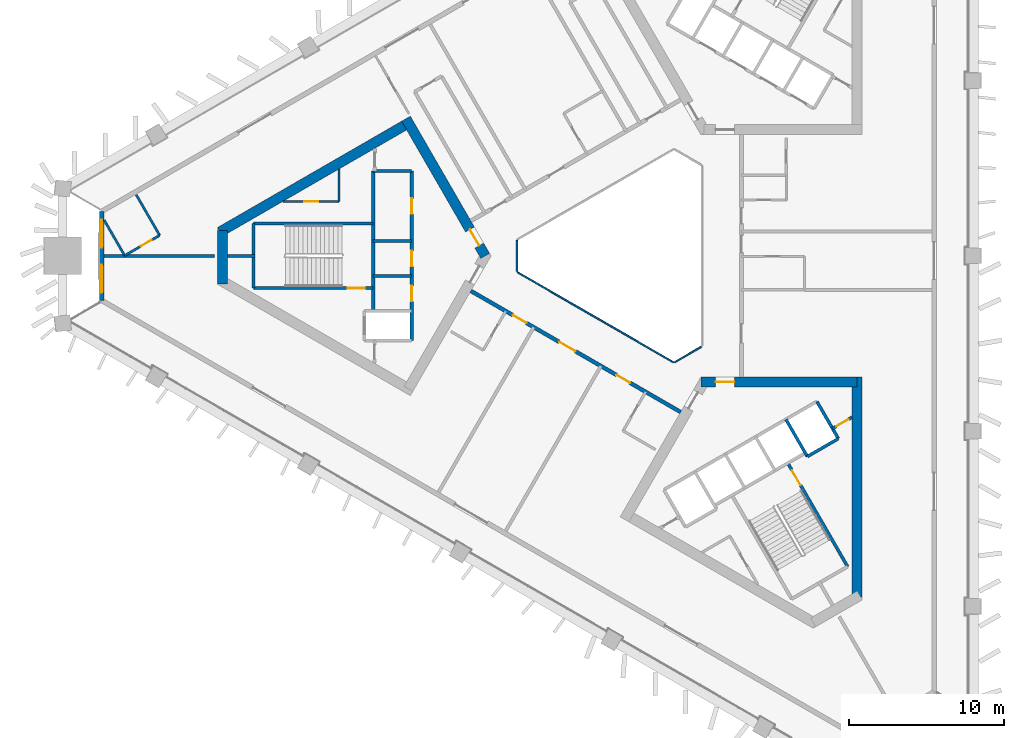
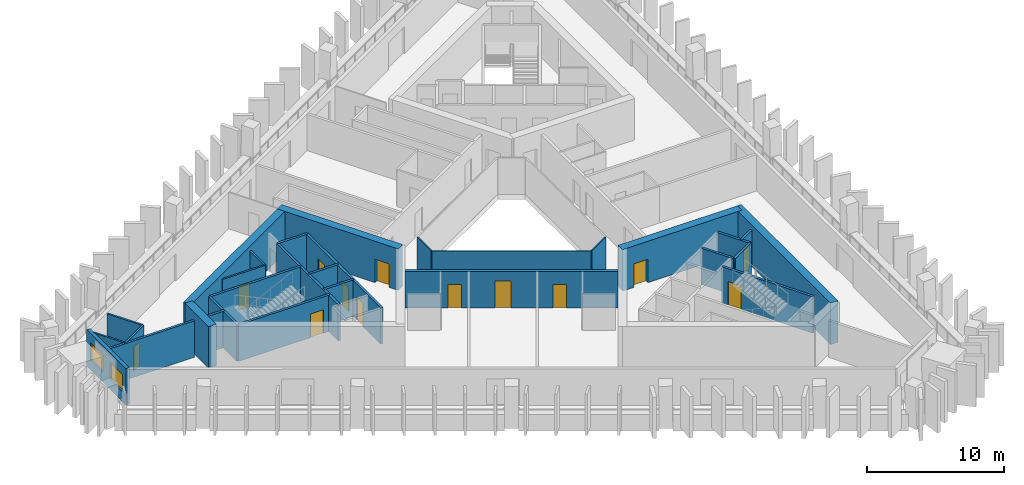
# One storey, part 3 of 9: 30 walls, 13 doors, 2 windows, 15 openings.
"""IFC4 building model written with IfcOpenShell, lengths in metres."""

from ifc_helpers import new_model, si_unit, direction, frame, frame_2d, origin, place, context, subcontext, project, spatial, rectangle, extrude, material, layer, layer_set, type_object, element, fill, save


model = new_model("IFC4")

# Units and contexts
model_context = context("Model", 3, precision=1e-05, world=origin(), true_north=direction((0.0, 1.0)))
body_context = subcontext(model_context, "Body", "Model", "MODEL_VIEW")
ifc_project = project(units=[si_unit("LENGTHUNIT", "METRE"), si_unit("AREAUNIT", "SQUARE_METRE"), si_unit("VOLUMEUNIT", "CUBIC_METRE"), si_unit("PLANEANGLEUNIT", "RADIAN"), si_unit("MASSUNIT", "GRAM", prefix="KILO")], contexts=[model_context])

# Site, building, storey
site_placement = place(None, origin())
site = spatial("IfcSite", under=ifc_project, at=site_placement, CompositionType="ELEMENT")
building_placement = place(site_placement, origin())
building = spatial("IfcBuilding", under=site, at=building_placement, Name="Jabali Bay Hotel Tower and Convention Centre", CompositionType="ELEMENT")
storey_placement = place(building_placement, frame((0.0, 0.0, 129.0)))
storey = spatial("IfcBuildingStorey", under=building, at=storey_placement, Name="L31", CompositionType="ELEMENT", Elevation=129.0)

# Walls
ifc_material_1 = material(Name="Fire-resistant glazing", Category="glass")
ifc_layer_1 = layer(ifc_material_1, 0.10009765625)
ifc_layer_set_1 = layer_set([ifc_layer_1], Name="Fire-resistant glazing")
wall_type_1 = type_object("IfcWallType", Name="Atrium glazed screen 100", PredefinedType="PARTITIONING", material=ifc_layer_set_1)
wall_1_placement = place(storey_placement, frame((67.672119140625, 81.0, 0.0), z_axis=(0.0, 0.0, 1.0), x_axis=(0.0, -1.0, 0.0)))
element("IfcWall", 1, at=wall_1_placement, inside=storey, type_object=wall_type_1, Name="Atrium screen 4 L31", PredefinedType="PARTITIONING", context=body_context, shape_type="SweptSolid", body=[
    extrude(rectangle(XDim=2.0, YDim=0.10009765625, at=frame_2d((1.0, 0.0))), origin(), (0.0, 0.0, 1.0), 3.25),
])
wall_2_placement = place(storey_placement, frame((67.7021484375, 78.947998046875, 0.0), z_axis=(0.0, 0.0, 1.0), x_axis=(0.866026658274, -0.499997827154, 0.0)))
element("IfcWall", 2, at=wall_2_placement, inside=storey, type_object=wall_type_1, Name="Atrium screen 5 L31", PredefinedType="PARTITIONING", context=body_context, shape_type="SweptSolid", body=[
    extrude(rectangle(XDim=11.58837890625, YDim=0.10009765625, at=frame_2d((5.794189453125, 0.0))), origin(), (0.0, 0.0, 1.0), 3.25),
])
wall_3_placement = place(storey_placement, frame((77.7978515625, 73.15380859375, 0.0), z_axis=(0.0, 0.0, 1.0), x_axis=(0.866041268327, 0.499972520799, 0.0)))
element("IfcWall", 3, at=wall_3_placement, inside=storey, type_object=wall_type_1, Name="Atrium screen 6 L31", PredefinedType="PARTITIONING", context=body_context, shape_type="SweptSolid", body=[
    extrude(rectangle(XDim=2.0, YDim=0.10009765625, at=frame_2d((1.0, 0.0))), origin(), (0.0, 0.0, 1.0), 3.25),
])
ifc_material_2 = material(Name="Concrete C40", Category="concrete")
ifc_layer_2 = layer(ifc_material_2, 0.199951171875)
ifc_layer_set_2 = layer_set([ifc_layer_2], Name="Concrete C40")
wall_type_2 = type_object("IfcWallType", Name="Core partition wall 200", PredefinedType="PARTITIONING", material=ifc_layer_set_2)
wall_4_placement = place(storey_placement, frame((50.820068359375, 80.0, 0.0), z_axis=(0.0, 0.0, 1.0), x_axis=(-1.0, 0.0, 0.0)))
element("IfcWall", 4, at=wall_4_placement, inside=storey, type_object=wall_type_2, Name="Core wall 0.4 L31", PredefinedType="PARTITIONING", context=body_context, shape_type="SweptSolid", body=[
    extrude(rectangle(XDim=1.773193359375, YDim=0.199951171875, at=frame_2d((0.88671875, 0.0))), origin(), (0.0, 0.0, 1.0), 3.25),
])

# Wall, opening, door
wall_5_placement = place(storey_placement, frame((87.964599609375, 68.89453125, 0.0), z_axis=(0.0, 0.0, 1.0), x_axis=(0.866054810376, 0.49994906283, 0.0)))
wall_5 = element("IfcWall", 5, at=wall_5_placement, inside=storey, type_object=wall_type_2, Name="Core wall 2.12 L31", PredefinedType="PARTITIONING", context=body_context, shape_type="SweptSolid", body=[
    extrude(rectangle(XDim=1.461181640625, YDim=0.199951171875, at=frame_2d((0.73046875, 0.0))), origin(), (0.0, 0.0, 1.0), 3.25),
])
opening_1_placement = place(wall_5_placement, frame((0.280517578125, 0.0, 0.0)))
opening_1 = element("IfcOpeningElement", 6, at=opening_1_placement, cuts=wall_5, Name="Opening D697", PredefinedType="OPENING", context=body_context, shape_type="SweptSolid", body=[
    extrude(rectangle(XDim=0.89990234375, YDim=2.10009765625, at=frame_2d((0.449951171875, 1.050048828125))), frame((0.0, 0.1103515625, 0.0), z_axis=(0.0, -1.0, 0.0), x_axis=(1.0, 0.0, 0.0)), (0.0, 0.0, 1.0), 0.220947265625),
])
ifc_material_3 = material(Name="Fire-rated steel door", Category="steel")
door_type_1 = type_object("IfcDoorType", Name="Vestibule fire door 900 x 2100", OperationType="NOTDEFINED", PredefinedType="NOTDEFINED", material=ifc_material_3)
door_1_placement = place(opening_1_placement, origin())
door_1 = element("IfcDoor", 7, at=door_1_placement, inside=storey, type_object=door_type_1, Name="Vestibule fire door D697", OperationType="SINGLE_SWING_LEFT", OverallHeight=2.10009765625, OverallWidth=0.89990234375, PredefinedType="NOTDEFINED", context=body_context, shape_type="SweptSolid", body=[
    extrude(rectangle(XDim=0.89990234375, YDim=2.10009765625, at=frame_2d((0.449951171875, 1.050048828125))), frame((0.0, 0.02490234375, 0.0), z_axis=(0.0, -1.0, 0.0), x_axis=(1.0, 0.0, 0.0)), (0.0, 0.0, 1.0), 0.050048828125),
])
fill(opening_1, door_1)

ifc_material_4 = material(Name="Fire-rated board partition")
ifc_layer_3 = layer(ifc_material_4, 0.14990234375)
ifc_layer_set_3 = layer_set([ifc_layer_3], Name="Fire-rated board partition")
wall_type_3 = type_object("IfcWallType", Name="Core room partition 150", PredefinedType="PARTITIONING", material=ifc_layer_set_3)
wall_6_placement = place(storey_placement, frame((56.219970703125, 83.5, 0.0), z_axis=(0.0, 0.0, 1.0), x_axis=(-1.0, 0.0, 0.0)))
wall_6 = element("IfcWall", 8, at=wall_6_placement, inside=storey, type_object=wall_type_3, Name="Core wall 0.1 L31", PredefinedType="PARTITIONING", context=body_context, shape_type="SweptSolid", body=[
    extrude(rectangle(XDim=3.61767578125, YDim=0.14990234375, at=frame_2d((1.808837890625, 0.0))), origin(), (0.0, 0.0, 1.0), 3.25),
])
opening_2_placement = place(wall_6_placement, frame((1.33154296875, 0.0, 0.0)))
opening_2 = element("IfcOpeningElement", 9, at=opening_2_placement, cuts=wall_6, Name="Opening D688", PredefinedType="OPENING", context=body_context, shape_type="SweptSolid", body=[
    extrude(rectangle(XDim=0.89990234375, YDim=2.10009765625, at=frame_2d((0.449951171875, 1.050048828125))), frame((0.0, 0.08544921875, 0.0), z_axis=(0.0, -1.0, 0.0), x_axis=(1.0, 0.0, 0.0)), (0.0, 0.0, 1.0), 0.1708984375),
])
door_type_2 = type_object("IfcDoorType", Name="Core room door 900 x 2100", OperationType="NOTDEFINED", PredefinedType="NOTDEFINED", material=ifc_material_3)
door_2_placement = place(opening_2_placement, origin())
door_2 = element("IfcDoor", 10, at=door_2_placement, inside=storey, type_object=door_type_2, Name="Core room door D688", OperationType="SINGLE_SWING_LEFT", OverallHeight=2.10009765625, OverallWidth=0.89990234375, PredefinedType="NOTDEFINED", context=body_context, shape_type="SweptSolid", body=[
    extrude(rectangle(XDim=0.89990234375, YDim=2.10009765625, at=frame_2d((0.449951171875, 1.050048828125))), frame((0.0, 0.02490234375, 0.0), z_axis=(0.0, -1.0, 0.0), x_axis=(1.0, 0.0, 0.0)), (0.0, 0.0, 1.0), 0.050048828125),
])
fill(opening_2, door_2)

# Walls
wall_7_placement = place(storey_placement, frame((56.219970703125, 85.5888671875, 0.0), z_axis=(0.0, 0.0, 1.0), x_axis=(0.0, -1.0, 0.0)))
element("IfcWall", 11, at=wall_7_placement, inside=storey, type_object=wall_type_3, Name="Core wall 0.14 L31", PredefinedType="PARTITIONING", context=body_context, shape_type="SweptSolid", body=[
    extrude(rectangle(XDim=2.0888671875, YDim=0.14990234375, at=frame_2d((1.04443359375, 0.0))), origin(), (0.0, 0.0, 1.0), 3.25),
])
ifc_layer_4 = layer(ifc_material_2, 0.199951171875)
ifc_layer_set_4 = layer_set([ifc_layer_4], Name="Concrete C40")
wall_type_4 = type_object("IfcWallType", Name="Core stair wall 200", PredefinedType="SOLIDWALL", material=ifc_layer_set_4)
wall_8_placement = place(storey_placement, frame((60.89990234375, 85.449951171875, 0.0), z_axis=(0.0, 0.0, 1.0), x_axis=(-1.0, 0.0, 0.0)))
element("IfcWall", 12, at=wall_8_placement, inside=storey, type_object=wall_type_4, Name="Core wall 0.0 L31", PredefinedType="SOLIDWALL", context=body_context, shape_type="SweptSolid", body=[
    extrude(rectangle(XDim=2.47998046875, YDim=0.199951171875, at=frame_2d((1.239990234375, 0.0))), origin(), (0.0, 0.0, 1.0), 3.25),
])
wall_9_placement = place(storey_placement, frame((58.419921875, 82.074951171875, 0.0), z_axis=(0.0, 0.0, 1.0), x_axis=(-1.0, 0.0, 0.0)))
element("IfcWall", 13, at=wall_9_placement, inside=storey, type_object=wall_type_4, Name="Core wall 0.2 L31", PredefinedType="SOLIDWALL", context=body_context, shape_type="SweptSolid", body=[
    extrude(rectangle(XDim=7.699951171875, YDim=0.199951171875, at=frame_2d((3.85009765625, 0.0))), origin(), (0.0, 0.0, 1.0), 3.25),
])
for number, where, z_axis, x_axis, name in (
    (14, (60.89990234375, 80.949951171875, 0.0), (0.0, 0.0, 1.0), (-1.0, 0.0, 0.0), "Core wall 0.3 L31"),
    (15, (60.89990234375, 78.699951171875, 0.0), (0.0, 0.0, 1.0), (-1.0, 0.0, 0.0), "Core wall 0.5 L31"),
):
    element("IfcWall", number, at=place(storey_placement, frame(where, z_axis=z_axis, x_axis=x_axis)), inside=storey, type_object=wall_type_4, Name=name, PredefinedType="SOLIDWALL", context=body_context, shape_type="SweptSolid", body=[
        extrude(rectangle(XDim=2.47998046875, YDim=0.199951171875, at=frame_2d((1.239990234375, 0.0))), origin(), (0.0, 0.0, 1.0), 3.25),
    ])

# Wall, opening, door
wall_10_placement = place(storey_placement, frame((58.419921875, 77.925048828125, 0.0), z_axis=(0.0, 0.0, 1.0), x_axis=(-1.0, 0.0, 0.0)))
wall_10 = element("IfcWall", 16, at=wall_10_placement, inside=storey, type_object=wall_type_4, Name="Core wall 0.6 L31", PredefinedType="SOLIDWALL", context=body_context, shape_type="SweptSolid", body=[
    extrude(rectangle(XDim=7.699951171875, YDim=0.199951171875, at=frame_2d((3.85009765625, 0.0))), origin(), (0.0, 0.0, 1.0), 3.25),
])
opening_3_placement = place(wall_10_placement, frame((0.550048828125, 0.0, 0.0)))
opening_3 = element("IfcOpeningElement", 17, at=opening_3_placement, cuts=wall_10, Name="Opening D687", PredefinedType="OPENING", context=body_context, shape_type="SweptSolid", body=[
    extrude(rectangle(XDim=1.10009765625, YDim=2.10009765625, at=frame_2d((0.550048828125, 1.050048828125))), frame((0.0, 0.1103515625, 0.0), z_axis=(0.0, -1.0, 0.0), x_axis=(1.0, 0.0, 0.0)), (0.0, 0.0, 1.0), 0.220947265625),
])
door_type_3 = type_object("IfcDoorType", Name="Stair fire door 1100 x 2100", OperationType="NOTDEFINED", PredefinedType="NOTDEFINED", material=ifc_material_3)
door_3_placement = place(opening_3_placement, origin())
door_3 = element("IfcDoor", 18, at=door_3_placement, inside=storey, type_object=door_type_3, Name="Stair fire door D687", OperationType="SINGLE_SWING_RIGHT", OverallHeight=2.10009765625, OverallWidth=1.10009765625, PredefinedType="NOTDEFINED", context=body_context, shape_type="SweptSolid", body=[
    extrude(rectangle(XDim=1.10009765625, YDim=2.10009765625, at=frame_2d((0.550048828125, 1.050048828125))), frame((0.0, 0.02490234375, 0.0), z_axis=(0.0, -1.0, 0.0), x_axis=(1.0, 0.0, 0.0)), (0.0, 0.0, 1.0), 0.050048828125),
])
fill(opening_3, door_3)

# Wall, openings, doors
wall_11_placement = place(storey_placement, frame((60.89990234375, 85.449951171875, 0.0), z_axis=(0.0, 0.0, 1.0), x_axis=(0.0, -1.0, 0.0)))
wall_11 = element("IfcWall", 19, at=wall_11_placement, inside=storey, type_object=wall_type_4, Name="Core wall 0.9 L31", PredefinedType="SOLIDWALL", context=body_context, shape_type="SweptSolid", body=[
    extrude(rectangle(XDim=10.89990234375, YDim=0.199951171875, at=frame_2d((5.449951171875, 0.0))), origin(), (0.0, 0.0, 1.0), 3.25),
])
opening_4_placement = place(wall_11_placement, frame((1.75, 0.0, 0.0)))
opening_4 = element("IfcOpeningElement", 20, at=opening_4_placement, cuts=wall_11, Name="Opening D682", PredefinedType="OPENING", context=body_context, shape_type="SweptSolid", body=[
    extrude(rectangle(XDim=1.0, YDim=2.10009765625, at=frame_2d((0.5, 1.050048828125))), frame((0.0, 0.1103515625, 0.0), z_axis=(0.0, -1.0, 0.0), x_axis=(1.0, 0.0, 0.0)), (0.0, 0.0, 1.0), 0.220947265625),
])
opening_5_placement = place(wall_11_placement, frame((5.125, 0.0, 0.0)))
opening_5 = element("IfcOpeningElement", 21, at=opening_5_placement, cuts=wall_11, Name="Opening D683", PredefinedType="OPENING", context=body_context, shape_type="SweptSolid", body=[
    extrude(rectangle(XDim=1.0, YDim=2.10009765625, at=frame_2d((0.5, 1.050048828125))), frame((0.0, 0.1103515625, 0.0), z_axis=(0.0, -1.0, 0.0), x_axis=(1.0, 0.0, 0.0)), (0.0, 0.0, 1.0), 0.220947265625),
])
opening_6_placement = place(wall_11_placement, frame((7.375, 0.0, 0.0)))
opening_6 = element("IfcOpeningElement", 22, at=opening_6_placement, cuts=wall_11, Name="Opening D684", PredefinedType="OPENING", context=body_context, shape_type="SweptSolid", body=[
    extrude(rectangle(XDim=1.0, YDim=2.10009765625, at=frame_2d((0.5, 1.050048828125))), frame((0.0, 0.1103515625, 0.0), z_axis=(0.0, -1.0, 0.0), x_axis=(1.0, 0.0, 0.0)), (0.0, 0.0, 1.0), 0.220947265625),
])
door_type_4 = type_object("IfcDoorType", Name="Core room door 1000 x 2100", OperationType="NOTDEFINED", PredefinedType="NOTDEFINED", material=ifc_material_3)
door_4_placement = place(opening_4_placement, origin())
door_4 = element("IfcDoor", 23, at=door_4_placement, inside=storey, type_object=door_type_4, Name="Core room door D682", OperationType="SINGLE_SWING_RIGHT", OverallHeight=2.10009765625, OverallWidth=1.0, PredefinedType="NOTDEFINED", context=body_context, shape_type="SweptSolid", body=[
    extrude(rectangle(XDim=1.0, YDim=2.10009765625, at=frame_2d((0.5, 1.050048828125))), frame((0.0, 0.02490234375, 0.0), z_axis=(0.0, -1.0, 0.0), x_axis=(1.0, 0.0, 0.0)), (0.0, 0.0, 1.0), 0.050048828125),
])
fill(opening_4, door_4)
door_5_placement = place(opening_5_placement, origin())
door_5 = element("IfcDoor", 24, at=door_5_placement, inside=storey, type_object=door_type_4, Name="Core room door D683", OperationType="SINGLE_SWING_RIGHT", OverallHeight=2.10009765625, OverallWidth=1.0, PredefinedType="NOTDEFINED", context=body_context, shape_type="SweptSolid", body=[
    extrude(rectangle(XDim=1.0, YDim=2.10009765625, at=frame_2d((0.5, 1.050048828125))), frame((0.0, 0.02490234375, 0.0), z_axis=(0.0, -1.0, 0.0), x_axis=(1.0, 0.0, 0.0)), (0.0, 0.0, 1.0), 0.050048828125),
])
fill(opening_5, door_5)
door_6_placement = place(opening_6_placement, origin())
door_6 = element("IfcDoor", 25, at=door_6_placement, inside=storey, type_object=door_type_4, Name="Core room door D684", OperationType="SINGLE_SWING_RIGHT", OverallHeight=2.10009765625, OverallWidth=1.0, PredefinedType="NOTDEFINED", context=body_context, shape_type="SweptSolid", body=[
    extrude(rectangle(XDim=1.0, YDim=2.10009765625, at=frame_2d((0.5, 1.050048828125))), frame((0.0, 0.02490234375, 0.0), z_axis=(0.0, -1.0, 0.0), x_axis=(1.0, 0.0, 0.0)), (0.0, 0.0, 1.0), 0.050048828125),
])
fill(opening_6, door_6)

# Walls
wall_12_placement = place(storey_placement, frame((58.419921875, 85.449951171875, 0.0), z_axis=(0.0, 0.0, 1.0), x_axis=(0.0, -1.0, 0.0)))
element("IfcWall", 26, at=wall_12_placement, inside=storey, type_object=wall_type_4, Name="Core wall 0.12 L31", PredefinedType="SOLIDWALL", context=body_context, shape_type="SweptSolid", body=[
    extrude(rectangle(XDim=9.0, YDim=0.199951171875, at=frame_2d((4.5, 0.0))), origin(), (0.0, 0.0, 1.0), 3.25),
])
wall_13_placement = place(storey_placement, frame((50.719970703125, 82.074951171875, 0.0), z_axis=(0.0, 0.0, 1.0), x_axis=(0.0, -1.0, 0.0)))
element("IfcWall", 27, at=wall_13_placement, inside=storey, type_object=wall_type_4, Name="Core wall 0.15 L31", PredefinedType="SOLIDWALL", context=body_context, shape_type="SweptSolid", body=[
    extrude(rectangle(XDim=4.14990234375, YDim=0.199951171875, at=frame_2d((2.074951171875, 0.0))), origin(), (0.0, 0.0, 1.0), 3.25),
])

# Wall, opening, door
wall_14_placement = place(storey_placement, frame((85.0869140625, 66.6787109375, 0.0), z_axis=(0.0, 0.0, 1.0), x_axis=(0.500019787375, -0.866013979237, 0.0)))
wall_14 = element("IfcWall", 28, at=wall_14_placement, inside=storey, type_object=wall_type_4, Name="Core wall 2.7 L31", PredefinedType="SOLIDWALL", context=body_context, shape_type="SweptSolid", body=[
    extrude(rectangle(XDim=7.699951171875, YDim=0.199951171875, at=frame_2d((3.85009765625, 0.0))), origin(), (0.0, 0.0, 1.0), 3.25),
])
opening_7_placement = place(wall_14_placement, frame((0.550048828125, 0.0, 0.0)))
opening_7 = element("IfcOpeningElement", 29, at=opening_7_placement, cuts=wall_14, Name="Opening D699", PredefinedType="OPENING", context=body_context, shape_type="SweptSolid", body=[
    extrude(rectangle(XDim=1.10009765625, YDim=2.10009765625, at=frame_2d((0.550048828125, 1.050048828125))), frame((0.0, 0.1103515625, 0.0), z_axis=(0.0, -1.0, 0.0), x_axis=(1.0, 0.0, 0.0)), (0.0, 0.0, 1.0), 0.220947265625),
])
door_7_placement = place(opening_7_placement, origin())
door_7 = element("IfcDoor", 30, at=door_7_placement, inside=storey, type_object=door_type_3, Name="Stair fire door D699", OperationType="SINGLE_SWING_RIGHT", OverallHeight=2.10009765625, OverallWidth=1.10009765625, PredefinedType="NOTDEFINED", context=body_context, shape_type="SweptSolid", body=[
    extrude(rectangle(XDim=1.10009765625, YDim=2.10009765625, at=frame_2d((0.550048828125, 1.050048828125))), frame((0.0, 0.02490234375, 0.0), z_axis=(0.0, -1.0, 0.0), x_axis=(1.0, 0.0, 0.0)), (0.0, 0.0, 1.0), 0.050048828125),
])
fill(opening_7, door_7)

# Walls
for number, where, z_axis, x_axis, name in (
    (31, (84.972900390625, 69.4765625, 0.0), (0.0, 0.0, 1.0), (0.499996545922, -0.866027397988, 0.0), "Core wall 2.8 L31"),
    (32, (86.964599609375, 70.62646484375, 0.0), (0.0, 0.0, 1.0), (0.499996545922, -0.866027397988, 0.0), "Core wall 2.9 L31"),
):
    element("IfcWall", number, at=place(storey_placement, frame(where, z_axis=z_axis, x_axis=x_axis)), inside=storey, type_object=wall_type_4, Name=name, PredefinedType="SOLIDWALL", context=body_context, shape_type="SweptSolid", body=[
        extrude(rectangle(XDim=2.75, YDim=0.199951171875, at=frame_2d((1.375, 0.0))), origin(), (0.0, 0.0, 1.0), 3.25),
    ])
wall_15_placement = place(storey_placement, frame((86.347900390625, 67.094970703125, 0.0), z_axis=(0.0, 0.0, 1.0), x_axis=(0.86602648383, 0.499998129301, 0.0)))
element("IfcWall", 33, at=wall_15_placement, inside=storey, type_object=wall_type_4, Name="Core wall 2.15 L31", PredefinedType="SOLIDWALL", context=body_context, shape_type="SweptSolid", body=[
    extrude(rectangle(XDim=2.2998046875, YDim=0.199951171875, at=frame_2d((1.14990234375, 0.0))), origin(), (0.0, 0.0, 1.0), 3.25),
])

# Wall, opening, door
ifc_material_5 = material(Name="Concrete C60", Category="concrete")
ifc_layer_5 = layer(ifc_material_5, 0.64990234375)
ifc_layer_set_5 = layer_set([ifc_layer_5], Name="Concrete C60")
wall_type_5 = type_object("IfcWallType", Name="Core wall 650", PredefinedType="SHEAR", material=ifc_layer_set_5)
wall_16_placement = place(storey_placement, frame((65.624755859375, 80.0, 0.0), z_axis=(0.0, 0.0, 1.0), x_axis=(-0.49999822179, 0.866026430432, 0.0)))
wall_16 = element("IfcWall", 34, at=wall_16_placement, inside=storey, type_object=wall_type_5, Name="Core wall 1.1 L31", PredefinedType="SHEAR", context=body_context, shape_type="SweptSolid", body=[
    extrude(rectangle(XDim=10.1923828125, YDim=0.64990234375, at=frame_2d((5.09619140625, 0.0))), origin(), (0.0, 0.0, 1.0), 3.699951171875),
])
opening_8_placement = place(wall_16_placement, frame((0.762451171875, 0.0, 0.0)))
opening_8 = element("IfcOpeningElement", 35, at=opening_8_placement, cuts=wall_16, Name="Opening D680", PredefinedType="OPENING", context=body_context, shape_type="SweptSolid", body=[
    extrude(rectangle(XDim=1.199951171875, YDim=2.10009765625, at=frame_2d((0.60009765625, 1.050048828125))), frame((0.0, 0.33544921875, 0.0), z_axis=(0.0, -1.0, 0.0), x_axis=(1.0, 0.0, 0.0)), (0.0, 0.0, 1.0), 0.6708984375),
])
door_type_5 = type_object("IfcDoorType", Name="Corridor end fire door 1200 x 2100", OperationType="NOTDEFINED", PredefinedType="NOTDEFINED", material=ifc_material_3)
door_8_placement = place(opening_8_placement, origin())
door_8 = element("IfcDoor", 36, at=door_8_placement, inside=storey, type_object=door_type_5, Name="Corridor end fire door D680", OperationType="SINGLE_SWING_RIGHT", OverallHeight=2.10009765625, OverallWidth=1.199951171875, PredefinedType="NOTDEFINED", context=body_context, shape_type="SweptSolid", body=[
    extrude(rectangle(XDim=1.199951171875, YDim=2.10009765625, at=frame_2d((0.60009765625, 1.050048828125))), frame((0.0, 0.02490234375, 0.0), z_axis=(0.0, -1.0, 0.0), x_axis=(1.0, 0.0, 0.0)), (0.0, 0.0, 1.0), 0.050048828125),
])
fill(opening_8, door_8)

# Walls
wall_17_placement = place(storey_placement, frame((60.691162109375, 88.54541015625, 0.0), z_axis=(0.0, 0.0, 1.0), x_axis=(-0.866030607649, -0.499990986534, 0.0)))
element("IfcWall", 37, at=wall_17_placement, inside=storey, type_object=wall_type_5, Name="Core wall 1.2 L31", PredefinedType="SHEAR", context=body_context, shape_type="SweptSolid", body=[
    extrude(rectangle(XDim=14.008544921875, YDim=0.64990234375, at=frame_2d((7.00439453125, 0.0))), origin(), (0.0, 0.0, 1.0), 3.699951171875),
])
wall_18_placement = place(storey_placement, frame((48.721923828125, 81.635009765625, 0.0), z_axis=(0.0, 0.0, 1.0), x_axis=(0.0, -1.0, 0.0)))
element("IfcWall", 38, at=wall_18_placement, inside=storey, type_object=wall_type_5, Name="Core wall 1.3 L31", PredefinedType="SHEAR", context=body_context, shape_type="SweptSolid", body=[
    extrude(rectangle(XDim=3.457763671875, YDim=0.64990234375, at=frame_2d((1.72900390625, 0.0))), origin(), (0.0, 0.0, 1.0), 3.699951171875),
])
wall_19_placement = place(storey_placement, frame((89.554931640625, 58.06005859375, 0.0), z_axis=(0.0, 0.0, 1.0), x_axis=(0.0, 1.0, 0.0)))
element("IfcWall", 39, at=wall_19_placement, inside=storey, type_object=wall_type_5, Name="Core wall 3.4 L31", PredefinedType="SHEAR", context=body_context, shape_type="SweptSolid", body=[
    extrude(rectangle(XDim=14.145751953125, YDim=0.64990234375, at=frame_2d((7.07275390625, 0.0))), origin(), (0.0, 0.0, 1.0), 3.699951171875),
])

# Wall, opening, door
wall_20_placement = place(storey_placement, frame((89.554931640625, 71.880859375, 0.0), z_axis=(0.0, 0.0, 1.0), x_axis=(-1.0, 0.0, 0.0)))
wall_20 = element("IfcWall", 40, at=wall_20_placement, inside=storey, type_object=wall_type_5, Name="Core wall 3.5 L31", PredefinedType="SHEAR", context=body_context, shape_type="SweptSolid", body=[
    extrude(rectangle(XDim=10.054931640625, YDim=0.64990234375, at=frame_2d((5.02734375, 0.0))), origin(), (0.0, 0.0, 1.0), 3.699951171875),
])
opening_9_placement = place(wall_20_placement, frame((7.905029296875, 0.0, 0.0)))
opening_9 = element("IfcOpeningElement", 41, at=opening_9_placement, cuts=wall_20, Name="Opening D696", PredefinedType="OPENING", context=body_context, shape_type="SweptSolid", body=[
    extrude(rectangle(XDim=1.199951171875, YDim=2.10009765625, at=frame_2d((0.60009765625, 1.050048828125))), frame((0.0, 0.33544921875, 0.0), z_axis=(0.0, -1.0, 0.0), x_axis=(1.0, 0.0, 0.0)), (0.0, 0.0, 1.0), 0.6708984375),
])
door_9_placement = place(opening_9_placement, origin())
door_9 = element("IfcDoor", 42, at=door_9_placement, inside=storey, type_object=door_type_5, Name="Corridor end fire door D696", OperationType="SINGLE_SWING_LEFT", OverallHeight=2.10009765625, OverallWidth=1.199951171875, PredefinedType="NOTDEFINED", context=body_context, shape_type="SweptSolid", body=[
    extrude(rectangle(XDim=1.199951171875, YDim=2.10009765625, at=frame_2d((0.60009765625, 1.050048828125))), frame((0.0, 0.02490234375, 0.0), z_axis=(0.0, -1.0, 0.0), x_axis=(1.0, 0.0, 0.0)), (0.0, 0.0, 1.0), 0.050048828125),
])
fill(opening_9, door_9)

# Wall, openings, doors
ifc_layer_6 = layer(ifc_material_5, 0.25)
ifc_layer_set_6 = layer_set([ifc_layer_6], Name="Concrete C60")
wall_type_6 = type_object("IfcWallType", Name="Corridor wall 250", PredefinedType="SHEAR", material=ifc_layer_set_6)
wall_21_placement = place(storey_placement, frame((64.699951171875, 77.748291015625, 0.0), z_axis=(0.0, 0.0, 1.0), x_axis=(0.866026492143, -0.499998114903, 0.0)))
wall_21 = element("IfcWall", 43, at=wall_21_placement, inside=storey, type_object=wall_type_6, Name="Corridor wall 3 L31", PredefinedType="SHEAR", context=body_context, shape_type="SweptSolid", body=[
    extrude(rectangle(XDim=15.58837890625, YDim=0.25, at=frame_2d((7.794189453125, 0.0))), origin(), (0.0, 0.0, 1.0), 3.25),
])
opening_10_placement = place(wall_21_placement, frame((3.13818359375, 0.0, 0.0)))
opening_10 = element("IfcOpeningElement", 44, at=opening_10_placement, cuts=wall_21, Name="Opening 3118", PredefinedType="OPENING", context=body_context, shape_type="SweptSolid", body=[
    extrude(rectangle(XDim=1.0, YDim=2.10009765625, at=frame_2d((0.5, 1.050048828125))), frame((0.0, 0.135498046875, 0.0), z_axis=(0.0, -1.0, 0.0), x_axis=(1.0, 0.0, 0.0)), (0.0, 0.0, 1.0), 0.27099609375),
])
opening_11_placement = place(wall_21_placement, frame((6.57080078125, 0.0, 0.0)))
opening_11 = element("IfcOpeningElement", 45, at=opening_11_placement, cuts=wall_21, Name="Opening 3119", PredefinedType="OPENING", context=body_context, shape_type="SweptSolid", body=[
    extrude(rectangle(XDim=1.199951171875, YDim=2.39990234375, at=frame_2d((0.60009765625, 1.199951171875))), frame((0.0, 0.135498046875, 0.0), z_axis=(0.0, -1.0, 0.0), x_axis=(1.0, 0.0, 0.0)), (0.0, 0.0, 1.0), 0.27099609375),
])
opening_12_placement = place(wall_21_placement, frame((10.82666015625, 0.0, 0.0)))
opening_12 = element("IfcOpeningElement", 46, at=opening_12_placement, cuts=wall_21, Name="Opening 3121", PredefinedType="OPENING", context=body_context, shape_type="SweptSolid", body=[
    extrude(rectangle(XDim=1.0, YDim=2.10009765625, at=frame_2d((0.5, 1.050048828125))), frame((0.0, 0.135498046875, 0.0), z_axis=(0.0, -1.0, 0.0), x_axis=(1.0, 0.0, 0.0)), (0.0, 0.0, 1.0), 0.27099609375),
])
ifc_material_6 = material(Name="Timber", Category="wood")
door_type_6 = type_object("IfcDoorType", Name="Guest room door 1000 x 2100", OperationType="NOTDEFINED", PredefinedType="NOTDEFINED", material=ifc_material_6)
door_10_placement = place(opening_10_placement, origin())
door_10 = element("IfcDoor", 47, at=door_10_placement, inside=storey, type_object=door_type_6, Name="Door 3118", OperationType="SINGLE_SWING_LEFT", OverallHeight=2.10009765625, OverallWidth=1.0, PredefinedType="NOTDEFINED", context=body_context, shape_type="SweptSolid", body=[
    extrude(rectangle(XDim=1.0, YDim=2.10009765625, at=frame_2d((0.5, 1.050048828125))), frame((0.0, 0.02490234375, 0.0), z_axis=(0.0, -1.0, 0.0), x_axis=(1.0, 0.0, 0.0)), (0.0, 0.0, 1.0), 0.050048828125),
])
fill(opening_10, door_10)
door_11_placement = place(opening_12_placement, origin())
door_11 = element("IfcDoor", 48, at=door_11_placement, inside=storey, type_object=door_type_6, Name="Door 3121", OperationType="SINGLE_SWING_RIGHT", OverallHeight=2.10009765625, OverallWidth=1.0, PredefinedType="NOTDEFINED", context=body_context, shape_type="SweptSolid", body=[
    extrude(rectangle(XDim=1.0, YDim=2.10009765625, at=frame_2d((0.5, 1.050048828125))), frame((0.0, 0.02490234375, 0.0), z_axis=(0.0, -1.0, 0.0), x_axis=(1.0, 0.0, 0.0)), (0.0, 0.0, 1.0), 0.050048828125),
])
fill(opening_12, door_11)
door_type_7 = type_object("IfcDoorType", Name="Public room door 1200 x 2400", OperationType="NOTDEFINED", PredefinedType="NOTDEFINED", material=ifc_material_6)
door_12_placement = place(opening_11_placement, origin())
door_12 = element("IfcDoor", 49, at=door_12_placement, inside=storey, type_object=door_type_7, Name="Door 3119", OperationType="SINGLE_SWING_LEFT", OverallHeight=2.39990234375, OverallWidth=1.199951171875, PredefinedType="NOTDEFINED", context=body_context, shape_type="SweptSolid", body=[
    extrude(rectangle(XDim=1.199951171875, YDim=2.39990234375, at=frame_2d((0.60009765625, 1.199951171875))), frame((0.0, 0.02490234375, 0.0), z_axis=(0.0, -1.0, 0.0), x_axis=(1.0, 0.0, 0.0)), (0.0, 0.0, 1.0), 0.050048828125),
])
fill(opening_11, door_12)

# Wall, openings, windows
ifc_layer_7 = layer(ifc_material_2, 0.300048828125)
ifc_layer_set_7 = layer_set([ifc_layer_7], Name="Concrete C40")
wall_type_7 = type_object("IfcWallType", Name="External wall 300", PredefinedType="SOLIDWALL", material=ifc_layer_set_7)
wall_22_placement = place(storey_placement, frame((40.966552734375, 77.131103515625, 0.0), z_axis=(0.0, 0.0, 1.0), x_axis=(0.0, 1.0, 0.0)))
wall_22 = element("IfcWall", 50, at=wall_22_placement, inside=storey, type_object=wall_type_7, Name="External wall west chamfer L31", PredefinedType="SOLIDWALL", context=body_context, shape_type="SweptSolid", body=[
    extrude(rectangle(XDim=5.73779296875, YDim=0.300048828125, at=frame_2d((2.868896484375, 0.0))), origin(), (0.0, 0.0, 1.0), 3.25),
])
opening_13_placement = place(wall_22_placement, frame((3.379150390625, 0.0, 0.89990234375)))
opening_13 = element("IfcOpeningElement", 51, at=opening_13_placement, cuts=wall_22, Name="Opening W1", PredefinedType="OPENING", context=body_context, shape_type="SweptSolid", body=[
    extrude(rectangle(XDim=1.800048828125, YDim=1.5, at=frame_2d((0.89990234375, 0.75))), frame((0.0, 0.16064453125, 0.0), z_axis=(0.0, -1.0, 0.0), x_axis=(1.0, 0.0, 0.0)), (0.0, 0.0, 1.0), 0.321044921875),
])
opening_14_placement = place(wall_22_placement, frame((0.49169921875, 0.0, 0.89990234375)))
opening_14 = element("IfcOpeningElement", 52, at=opening_14_placement, cuts=wall_22, Name="Opening W1", PredefinedType="OPENING", context=body_context, shape_type="SweptSolid", body=[
    extrude(rectangle(XDim=1.800048828125, YDim=1.5, at=frame_2d((0.89990234375, 0.75))), frame((0.0, 0.16064453125, 0.0), z_axis=(0.0, -1.0, 0.0), x_axis=(1.0, 0.0, 0.0)), (0.0, 0.0, 1.0), 0.321044921875),
])
ifc_material_7 = material(Name="Glass", Category="glass")
window_type = type_object("IfcWindowType", Name="Window 1800 x 1500", PartitioningType="SINGLE_PANEL", PredefinedType="WINDOW", material=ifc_material_7)
window_1_placement = place(opening_13_placement, origin())
window_1 = element("IfcWindow", 53, at=window_1_placement, inside=storey, type_object=window_type, Name="Window 3107", OverallHeight=1.5, OverallWidth=1.800048828125, PartitioningType="SINGLE_PANEL", PredefinedType="WINDOW", context=body_context, shape_type="SweptSolid", body=[
    extrude(rectangle(XDim=1.800048828125, YDim=1.5, at=frame_2d((0.89990234375, 0.75))), frame((0.0, 0.030029296875, 0.0), z_axis=(0.0, -1.0, 0.0), x_axis=(1.0, 0.0, 0.0)), (0.0, 0.0, 1.0), 0.06005859375),
])
fill(opening_13, window_1)
window_2_placement = place(opening_14_placement, origin())
window_2 = element("IfcWindow", 54, at=window_2_placement, inside=storey, type_object=window_type, Name="Window 3109", OverallHeight=1.5, OverallWidth=1.800048828125, PartitioningType="SINGLE_PANEL", PredefinedType="WINDOW", context=body_context, shape_type="SweptSolid", body=[
    extrude(rectangle(XDim=1.800048828125, YDim=1.5, at=frame_2d((0.89990234375, 0.75))), frame((0.0, 0.030029296875, 0.0), z_axis=(0.0, -1.0, 0.0), x_axis=(1.0, 0.0, 0.0)), (0.0, 0.0, 1.0), 0.06005859375),
])
fill(opening_14, window_2)

# Wall
ifc_material_8 = material(Name="Plasterboard on steel stud", Category="steel")
ifc_layer_8 = layer(ifc_material_8, 0.14990234375)
ifc_layer_set_8 = layer_set([ifc_layer_8], Name="Plasterboard on steel stud")
wall_type_8 = type_object("IfcWallType", Name="Partition 150 wet", PredefinedType="PARTITIONING", material=ifc_layer_set_8)
wall_23_placement = place(storey_placement, frame((43.17919921875, 83.927001953125, 0.0), z_axis=(0.0, 0.0, 1.0), x_axis=(0.499977562641, -0.866038357612, 0.0)))
element("IfcWall", 55, at=wall_23_placement, inside=storey, type_object=wall_type_8, Name="Partition P03 L31 027", PredefinedType="PARTITIONING", context=body_context, shape_type="SweptSolid", body=[
    extrude(rectangle(XDim=3.010009765625, YDim=0.14990234375, at=frame_2d((1.5048828125, 0.0))), origin(), (0.0, 0.0, 1.0), 3.25),
])

# Wall, opening, door
wall_24_placement = place(storey_placement, frame((44.68408203125, 81.3203125, 0.0), z_axis=(0.0, 0.0, 1.0), x_axis=(-0.866062058628, -0.499936506574, 0.0)))
wall_24 = element("IfcWall", 56, at=wall_24_placement, inside=storey, type_object=wall_type_8, Name="Partition P03 L31 028", PredefinedType="PARTITIONING", context=body_context, shape_type="SweptSolid", body=[
    extrude(rectangle(XDim=2.599853515625, YDim=0.14990234375, at=frame_2d((1.2998046875, 0.0))), origin(), (0.0, 0.0, 1.0), 3.25),
])
opening_15_placement = place(wall_24_placement, frame((0.60009765625, 0.0, 0.0)))
opening_15 = element("IfcOpeningElement", 57, at=opening_15_placement, cuts=wall_24, Name="Opening 3115", PredefinedType="OPENING", context=body_context, shape_type="SweptSolid", body=[
    extrude(rectangle(XDim=0.800048828125, YDim=2.10009765625, at=frame_2d((0.39990234375, 1.050048828125))), frame((0.0, 0.08544921875, 0.0), z_axis=(0.0, -1.0, 0.0), x_axis=(1.0, 0.0, 0.0)), (0.0, 0.0, 1.0), 0.1708984375),
])
door_type_8 = type_object("IfcDoorType", Name="En-suite door 800 x 2100", OperationType="NOTDEFINED", PredefinedType="NOTDEFINED", material=ifc_material_6)
door_13_placement = place(opening_15_placement, origin())
door_13 = element("IfcDoor", 58, at=door_13_placement, inside=storey, type_object=door_type_8, Name="Door 3115", OperationType="SINGLE_SWING_LEFT", OverallHeight=2.10009765625, OverallWidth=0.800048828125, PredefinedType="NOTDEFINED", context=body_context, shape_type="SweptSolid", body=[
    extrude(rectangle(XDim=0.800048828125, YDim=2.10009765625, at=frame_2d((0.39990234375, 1.050048828125))), frame((0.0, 0.02490234375, 0.0), z_axis=(0.0, -1.0, 0.0), x_axis=(1.0, 0.0, 0.0)), (0.0, 0.0, 1.0), 0.050048828125),
])
fill(opening_15, door_13)

# Walls
wall_25_placement = place(storey_placement, frame((42.432373046875, 80.0205078125, 0.0), z_axis=(0.0, 0.0, 1.0), x_axis=(-0.50006752258, 0.865986416095, 0.0)))
element("IfcWall", 59, at=wall_25_placement, inside=storey, type_object=wall_type_8, Name="Partition P03 L31 029", PredefinedType="PARTITIONING", context=body_context, shape_type="SweptSolid", body=[
    extrude(rectangle(XDim=2.633544921875, YDim=0.14990234375, at=frame_2d((1.31689453125, 0.0))), origin(), (0.0, 0.0, 1.0), 3.25),
])
ifc_layer_9 = layer(ifc_material_8, 0.199951171875)
ifc_layer_set_9 = layer_set([ifc_layer_9], Name="Plasterboard on steel stud")
wall_type_9 = type_object("IfcWallType", Name="Partition 200 party", PredefinedType="PARTITIONING", material=ifc_layer_set_9)
wall_26_placement = place(storey_placement, frame((41.115478515625, 80.0009765625, 0.0), z_axis=(0.0, 0.0, 1.0), x_axis=(1.0, 0.0, 0.0)))
element("IfcWall", 60, at=wall_26_placement, inside=storey, type_object=wall_type_9, Name="Partition P01 L31 030", PredefinedType="PARTITIONING", context=body_context, shape_type="SweptSolid", body=[
    extrude(rectangle(XDim=7.08251953125, YDim=0.199951171875, at=frame_2d((3.541259765625, 0.0))), origin(), (0.0, 0.0, 1.0), 3.25),
])

save(model, "model.ifc")
